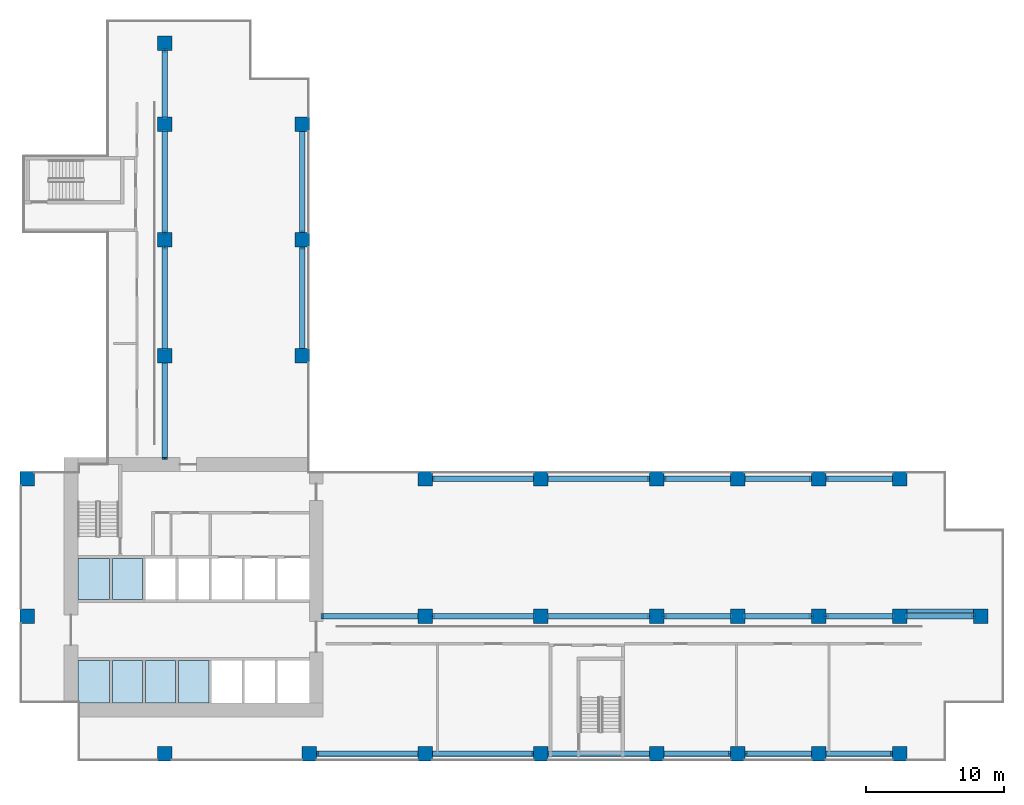
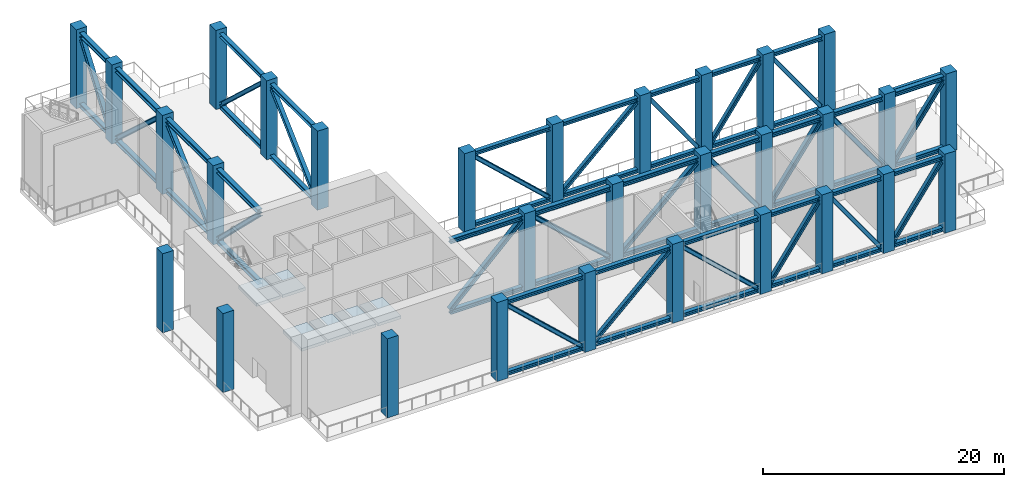
# One storey, part 1 of 10: 48 beams, 30 columns, 25 members, 6 slabs.
"""IFC4 building model written with IfcOpenShell, lengths in metres."""

from ifc_helpers import new_model, si_unit, direction, frame, origin, origin_2d, place, context, subcontext, project, spatial, polyline, rectangle, i_section, outline, extrude, source, transform, mapped, material, layer, layer_set, material_profile, profile_set, type_object, element, save


model = new_model("IFC4")

# Units and contexts
model_context = context("Model", 3, precision=1e-05, world=origin(), true_north=direction((0.0, 1.0)))
body_context = subcontext(model_context, "Body", "Model", "MODEL_VIEW")
ifc_project = project(units=[si_unit("LENGTHUNIT", "METRE"), si_unit("AREAUNIT", "SQUARE_METRE"), si_unit("VOLUMEUNIT", "CUBIC_METRE"), si_unit("PLANEANGLEUNIT", "RADIAN"), si_unit("MASSUNIT", "GRAM", prefix="KILO")], contexts=[model_context])

# Site, building, storey
site_placement = place(None, origin())
site = spatial("IfcSite", under=ifc_project, at=site_placement, CompositionType="ELEMENT")
building_placement = place(site_placement, origin())
building = spatial("IfcBuilding", under=site, at=building_placement, Name="Aurelian Terraces", CompositionType="ELEMENT")
storey_placement = place(building_placement, frame((0.0, 0.0, 162.3)))
storey = spatial("IfcBuildingStorey", under=building, at=storey_placement, Name="L36", CompositionType="ELEMENT", Elevation=162.3)

# Columns
ifc_material_1 = material(Name="Concrete fc' 83 MPa", Category="concrete")
ifc_material_profile_1 = material_profile(ifc_material_1, rectangle(XDim=1.05, YDim=1.05, at=origin_2d()))
ifc_profile_set_1 = profile_set([ifc_material_profile_1], Name="Concrete fc' 83 MPa")
column_type = type_object("IfcColumnType", Name="RC COLUMN 1050X1050 FC83", PredefinedType="COLUMN", material=ifc_profile_set_1)
column_placement = place(storey_placement, frame((10.5, 0.525, 0.0), z_axis=(0.0, 0.0, 1.0), x_axis=(1.0, 0.0, 0.0)))
element("IfcColumn", 1, at=column_placement, inside=storey, type_object=column_type, Name="Column 2/A L36", PredefinedType="COLUMN", context=body_context, shape_type="SweptSolid", body=[
    extrude(rectangle(XDim=1.05, YDim=1.05, at=origin_2d()), origin(), (0.0, 0.0, 1.0), 8.0),
])
shared_shape_1 = source(origin(), body_context, "Body", "SweptSolid", [
    extrude(rectangle(XDim=1.05, YDim=1.05, at=origin_2d()), origin(), (0.0, 0.0, 1.0), 8.0),
])
for number, where, z_axis, x_axis, name in (
    (2, (21.0, 0.525, 0.0), (0.0, 0.0, 1.0), (1.0, 0.0, 0.0), "Column 3/A L36"),
    (3, (29.4, 0.525, 0.0), (0.0, 0.0, 1.0), (1.0, 0.0, 0.0), "Column 4/A L36"),
    (4, (37.8, 0.525, 0.0), (0.0, 0.0, 1.0), (1.0, 0.0, 0.0), "Column 5/A L36"),
    (5, (46.2, 0.525, 0.0), (0.0, 0.0, 1.0), (1.0, 0.0, 0.0), "Column 6/A L36"),
    (6, (52.08, 0.525, 0.0), (0.0, 0.0, 1.0), (1.0, 0.0, 0.0), "Column 7/A L36"),
    (7, (57.96, 0.525, 0.0), (0.0, 0.0, 1.0), (1.0, 0.0, 0.0), "Column 8/A L36"),
    (8, (63.84, 0.525, 0.0), (0.0, 0.0, 1.0), (1.0, 0.0, 0.0), "Column 9/A L36"),
    (9, (0.525, 10.5, 0.0), (0.0, 0.0, 1.0), (1.0, 0.0, 0.0), "Column 1/B L36"),
    (10, (29.4, 10.5, 0.0), (0.0, 0.0, 1.0), (1.0, 0.0, 0.0), "Column 4/B L36"),
    (11, (37.8, 10.5, 0.0), (0.0, 0.0, 1.0), (1.0, 0.0, 0.0), "Column 5/B L36"),
    (12, (46.2, 10.5, 0.0), (0.0, 0.0, 1.0), (1.0, 0.0, 0.0), "Column 6/B L36"),
    (13, (52.08, 10.5, 0.0), (0.0, 0.0, 1.0), (1.0, 0.0, 0.0), "Column 7/B L36"),
    (14, (57.96, 10.5, 0.0), (0.0, 0.0, 1.0), (1.0, 0.0, 0.0), "Column 8/B L36"),
    (15, (63.84, 10.5, 0.0), (0.0, 0.0, 1.0), (1.0, 0.0, 0.0), "Column 9/B L36"),
    (16, (69.72, 10.5, 0.0), (0.0, 0.0, 1.0), (1.0, 0.0, 0.0), "Column 10/B L36"),
    (17, (0.525, 20.475, 0.0), (0.0, 0.0, 1.0), (1.0, 0.0, 0.0), "Column 1/C L36"),
    (18, (29.4, 20.475, 0.0), (0.0, 0.0, 1.0), (1.0, 0.0, 0.0), "Column 4/C L36"),
    (19, (37.8, 20.475, 0.0), (0.0, 0.0, 1.0), (1.0, 0.0, 0.0), "Column 5/C L36"),
    (20, (46.2, 20.475, 0.0), (0.0, 0.0, 1.0), (1.0, 0.0, 0.0), "Column 6/C L36"),
    (21, (52.08, 20.475, 0.0), (0.0, 0.0, 1.0), (1.0, 0.0, 0.0), "Column 7/C L36"),
    (22, (57.96, 20.475, 0.0), (0.0, 0.0, 1.0), (1.0, 0.0, 0.0), "Column 8/C L36"),
    (23, (63.84, 20.475, 0.0), (0.0, 0.0, 1.0), (1.0, 0.0, 0.0), "Column 9/C L36"),
    (24, (10.5, 29.4, 0.0), (0.0, 0.0, 1.0), (1.0, 0.0, 0.0), "Column 2/D L36"),
    (25, (20.475, 29.4, 0.0), (0.0, 0.0, 1.0), (1.0, 0.0, 0.0), "Column 3/D L36"),
    (26, (10.5, 37.8, 0.0), (0.0, 0.0, 1.0), (1.0, 0.0, 0.0), "Column 2/E L36"),
    (27, (20.475, 37.8, 0.0), (0.0, 0.0, 1.0), (1.0, 0.0, 0.0), "Column 3/E L36"),
    (28, (10.5, 46.2, 0.0), (0.0, 0.0, 1.0), (1.0, 0.0, 0.0), "Column 2/F L36"),
    (29, (20.475, 46.2, 0.0), (0.0, 0.0, 1.0), (1.0, 0.0, 0.0), "Column 3/F L36"),
    (30, (10.5, 52.08, 0.0), (0.0, 0.0, 1.0), (1.0, 0.0, 0.0), "Column 2/G L36"),
):
    element("IfcColumn", number, at=place(storey_placement, frame(where, z_axis=z_axis, x_axis=x_axis)), inside=storey, type_object=column_type, Name=name, PredefinedType="COLUMN", context=body_context, shape_type="MappedRepresentation", body=[
        mapped(shared_shape_1, transform((0.0, 0.0, 0.0), scale=1.0)),
    ])

# Members
ifc_material_2 = material(Name="Steel ASTM A992 Gr50", Category="steel")
ifc_material_profile_2 = material_profile(ifc_material_2, i_section(OverallWidth=0.374, OverallDepth=0.3724, WebThickness=0.0164, FlangeThickness=0.0262, at=origin_2d()))
ifc_profile_set_2 = profile_set([ifc_material_profile_2], Name="Steel ASTM A992 Gr50")
member_type_1 = type_object("IfcMemberType", Name="BELT DIAGONAL W14X132", PredefinedType="BRACE", material=ifc_profile_set_2)
member_1_placement = place(storey_placement, frame((28.875, 0.525, 0.3805), z_axis=(-0.732728866702, 0.0, 0.680520688812), x_axis=(0.0, -1.0, 0.0)))
element("IfcMember", 31, at=member_1_placement, inside=storey, type_object=member_type_1, Name="Belt diagonal 12", PredefinedType="BRACE", context=body_context, shape_type="SweptSolid", body=[
    extrude(i_section(OverallWidth=0.374, OverallDepth=0.3724, WebThickness=0.0164, FlangeThickness=0.0262, at=origin_2d()), origin(), (0.0, 0.0, 1.0), 10.031),
])
member_2_placement = place(storey_placement, frame((46.725, 0.525, 0.3805), z_axis=(0.577595550202, 0.0, 0.816323085786), x_axis=(0.0, 1.0, 0.0)))
element("IfcMember", 32, at=member_2_placement, inside=storey, type_object=member_type_1, Name="Belt diagonal 15", PredefinedType="BRACE", context=body_context, shape_type="SweptSolid", body=[
    extrude(i_section(OverallWidth=0.374, OverallDepth=0.3724, WebThickness=0.0164, FlangeThickness=0.0262, at=origin_2d()), origin(), (0.0, 0.0, 1.0), 8.3623),
])

# Beams
ifc_material_profile_3 = material_profile(ifc_material_2, i_section(OverallWidth=0.399, OverallDepth=0.3932, WebThickness=0.0226, FlangeThickness=0.0366, at=origin_2d()))
ifc_profile_set_3 = profile_set([ifc_material_profile_3], Name="Steel ASTM A992 Gr50")
beam_type_1 = type_object("IfcBeamType", Name="BT901 BELT CHORD W14X193", PredefinedType="BEAM", material=ifc_profile_set_3)
beam_1_placement = place(storey_placement, frame((21.525, 0.525, 7.4034), z_axis=(1.0, 0.0, 0.0), x_axis=(0.0, 1.0, 0.0)))
element("IfcBeam", 33, at=beam_1_placement, inside=storey, type_object=beam_type_1, Name="Belt top chord 12", PredefinedType="BEAM", context=body_context, shape_type="SweptSolid", body=[
    extrude(i_section(OverallWidth=0.399, OverallDepth=0.3932, WebThickness=0.0226, FlangeThickness=0.0366, at=origin_2d()), origin(), (0.0, 0.0, 1.0), 7.35),
])
beam_2_placement = place(storey_placement, frame((46.725, 0.525, 7.4034), z_axis=(1.0, 0.0, 0.0), x_axis=(0.0, 1.0, 0.0)))
element("IfcBeam", 34, at=beam_2_placement, inside=storey, type_object=beam_type_1, Name="Belt top chord 15", PredefinedType="BEAM", context=body_context, shape_type="SweptSolid", body=[
    extrude(i_section(OverallWidth=0.399, OverallDepth=0.3932, WebThickness=0.0226, FlangeThickness=0.0366, at=origin_2d()), origin(), (0.0, 0.0, 1.0), 4.83),
])
ifc_material_profile_4 = material_profile(ifc_material_2, i_section(OverallWidth=0.3954, OverallDepth=0.3805, WebThickness=0.0189, FlangeThickness=0.0302, at=origin_2d()))
ifc_profile_set_4 = profile_set([ifc_material_profile_4], Name="Steel ASTM A992 Gr50")
beam_type_2 = type_object("IfcBeamType", Name="BT902 BELT CHORD W14X159", PredefinedType="BEAM", material=ifc_profile_set_4)
beam_3_placement = place(storey_placement, frame((21.525, 0.525, 0.1902), z_axis=(1.0, 0.0, 0.0), x_axis=(0.0, 1.0, 0.0)))
element("IfcBeam", 35, at=beam_3_placement, inside=storey, type_object=beam_type_2, Name="Belt bottom chord 12", PredefinedType="BEAM", context=body_context, shape_type="SweptSolid", body=[
    extrude(i_section(OverallWidth=0.3954, OverallDepth=0.3805, WebThickness=0.0189, FlangeThickness=0.0302, at=origin_2d()), origin(), (0.0, 0.0, 1.0), 7.35),
])
beam_4_placement = place(storey_placement, frame((46.725, 0.525, 0.1902), z_axis=(1.0, 0.0, 0.0), x_axis=(0.0, 1.0, 0.0)))
element("IfcBeam", 36, at=beam_4_placement, inside=storey, type_object=beam_type_2, Name="Belt bottom chord 15", PredefinedType="BEAM", context=body_context, shape_type="SweptSolid", body=[
    extrude(i_section(OverallWidth=0.3954, OverallDepth=0.3805, WebThickness=0.0189, FlangeThickness=0.0302, at=origin_2d()), origin(), (0.0, 0.0, 1.0), 4.83),
])

# Member
ifc_material_3 = material(Name="Concrete fc' 40 MPa", Category="concrete")
ifc_material_profile_5 = material_profile(ifc_material_3, rectangle(XDim=0.3, YDim=0.5, at=origin_2d()))
ifc_profile_set_5 = profile_set([ifc_material_profile_5], Name="Concrete fc' 40 MPa")
member_type_2 = type_object("IfcMemberType", Name="CONCRETE EDGE BEAM 300X500", PredefinedType="MEMBER", material=ifc_profile_set_5)
member_3_placement = place(storey_placement, frame((69.195, 10.875, 7.35), z_axis=(-1.0, 0.0, 0.0), x_axis=(0.0, -1.0, 0.0)))
element("IfcMember", 37, at=member_3_placement, inside=storey, type_object=member_type_2, Name="Terrace edge member L37-X1", PredefinedType="MEMBER", context=body_context, shape_type="SweptSolid", body=[
    extrude(rectangle(XDim=0.3, YDim=0.5, at=origin_2d()), origin(), (0.0, 0.0, 1.0), 4.83),
])

# Beams
ifc_material_profile_6 = material_profile(ifc_material_2, i_section(OverallWidth=0.4185, OverallDepth=0.4552, WebThickness=0.0422, FlangeThickness=0.0676, at=origin_2d()))
ifc_profile_set_6 = profile_set([ifc_material_profile_6], Name="Steel ASTM A992 Gr50")
beam_type_3 = type_object("IfcBeamType", Name="OR901 OUTRIGGER CHORD W14X370", PredefinedType="BEAM", material=ifc_profile_set_6)
beam_5_placement = place(storey_placement, frame((22.0, 10.5, 7.3724), z_axis=(1.0, 0.0, 0.0), x_axis=(0.0, 1.0, 0.0)))
element("IfcBeam", 38, at=beam_5_placement, inside=storey, type_object=beam_type_3, Name="Outrigger top chord 1", PredefinedType="BEAM", context=body_context, shape_type="SweptSolid", body=[
    extrude(i_section(OverallWidth=0.4185, OverallDepth=0.4552, WebThickness=0.0422, FlangeThickness=0.0676, at=origin_2d()), origin(), (0.0, 0.0, 1.0), 6.875),
])
beam_6_placement = place(storey_placement, frame((29.925, 10.5, 7.3724), z_axis=(1.0, 0.0, 0.0), x_axis=(0.0, 1.0, 0.0)))
element("IfcBeam", 39, at=beam_6_placement, inside=storey, type_object=beam_type_3, Name="Outrigger top chord 2", PredefinedType="BEAM", context=body_context, shape_type="SweptSolid", body=[
    extrude(i_section(OverallWidth=0.4185, OverallDepth=0.4552, WebThickness=0.0422, FlangeThickness=0.0676, at=origin_2d()), origin(), (0.0, 0.0, 1.0), 7.35),
])
beam_7_placement = place(storey_placement, frame((46.725, 10.5, 7.3724), z_axis=(1.0, 0.0, 0.0), x_axis=(0.0, 1.0, 0.0)))
element("IfcBeam", 40, at=beam_7_placement, inside=storey, type_object=beam_type_3, Name="Outrigger top chord 4", PredefinedType="BEAM", context=body_context, shape_type="SweptSolid", body=[
    extrude(i_section(OverallWidth=0.4185, OverallDepth=0.4552, WebThickness=0.0422, FlangeThickness=0.0676, at=origin_2d()), origin(), (0.0, 0.0, 1.0), 4.83),
])
ifc_material_profile_7 = material_profile(ifc_material_2, i_section(OverallWidth=0.4122, OverallDepth=0.4348, WebThickness=0.0358, FlangeThickness=0.0531, at=origin_2d()))
ifc_profile_set_7 = profile_set([ifc_material_profile_7], Name="Steel ASTM A992 Gr50")
beam_type_4 = type_object("IfcBeamType", Name="OR902 OUTRIGGER CHORD W14X311", PredefinedType="BEAM", material=ifc_profile_set_7)
beam_8_placement = place(storey_placement, frame((22.0, 10.5, 0.2174), z_axis=(1.0, 0.0, 0.0), x_axis=(0.0, 1.0, 0.0)))
element("IfcBeam", 41, at=beam_8_placement, inside=storey, type_object=beam_type_4, Name="Outrigger bottom chord 1", PredefinedType="BEAM", context=body_context, shape_type="SweptSolid", body=[
    extrude(i_section(OverallWidth=0.4122, OverallDepth=0.4348, WebThickness=0.0358, FlangeThickness=0.0531, at=origin_2d()), origin(), (0.0, 0.0, 1.0), 6.875),
])
beam_9_placement = place(storey_placement, frame((29.925, 10.5, 0.2174), z_axis=(1.0, 0.0, 0.0), x_axis=(0.0, 1.0, 0.0)))
element("IfcBeam", 42, at=beam_9_placement, inside=storey, type_object=beam_type_4, Name="Outrigger bottom chord 2", PredefinedType="BEAM", context=body_context, shape_type="SweptSolid", body=[
    extrude(i_section(OverallWidth=0.4122, OverallDepth=0.4348, WebThickness=0.0358, FlangeThickness=0.0531, at=origin_2d()), origin(), (0.0, 0.0, 1.0), 7.35),
])
beam_10_placement = place(storey_placement, frame((46.725, 10.5, 0.2174), z_axis=(1.0, 0.0, 0.0), x_axis=(0.0, 1.0, 0.0)))
element("IfcBeam", 43, at=beam_10_placement, inside=storey, type_object=beam_type_4, Name="Outrigger bottom chord 4", PredefinedType="BEAM", context=body_context, shape_type="SweptSolid", body=[
    extrude(i_section(OverallWidth=0.4122, OverallDepth=0.4348, WebThickness=0.0358, FlangeThickness=0.0531, at=origin_2d()), origin(), (0.0, 0.0, 1.0), 4.83),
])

# Members
ifc_material_profile_8 = material_profile(ifc_material_2, i_section(OverallWidth=0.4063, OverallDepth=0.4161, WebThickness=0.03, FlangeThickness=0.048, at=origin_2d()))
ifc_profile_set_8 = profile_set([ifc_material_profile_8], Name="Steel ASTM A992 Gr50")
member_type_3 = type_object("IfcMemberType", Name="OUTRIGGER DIAGONAL W14X257", PredefinedType="BRACE", material=ifc_profile_set_8)
member_4_placement = place(storey_placement, frame((22.0, 10.5, 0.4348), z_axis=(0.715642339106, 0.0, 0.698466922967), x_axis=(0.0, 1.0, 0.0)))
element("IfcMember", 44, at=member_4_placement, inside=storey, type_object=member_type_3, Name="Outrigger diagonal 1", PredefinedType="BRACE", context=body_context, shape_type="SweptSolid", body=[
    extrude(i_section(OverallWidth=0.4063, OverallDepth=0.4161, WebThickness=0.03, FlangeThickness=0.048, at=origin_2d()), origin(), (0.0, 0.0, 1.0), 9.6068),
])
member_5_placement = place(storey_placement, frame((37.275, 10.5, 0.4348), z_axis=(-0.738528999254, 0.0, 0.674221712244), x_axis=(0.0, -1.0, 0.0)))
element("IfcMember", 45, at=member_5_placement, inside=storey, type_object=member_type_3, Name="Outrigger diagonal 2", PredefinedType="BRACE", context=body_context, shape_type="SweptSolid", body=[
    extrude(i_section(OverallWidth=0.4063, OverallDepth=0.4161, WebThickness=0.03, FlangeThickness=0.048, at=origin_2d()), origin(), (0.0, 0.0, 1.0), 9.9522),
])
member_6_placement = place(storey_placement, frame((51.555, 10.5, 0.4348), z_axis=(-0.584209130955, 0.0, 0.811603161224), x_axis=(0.0, -1.0, 0.0)))
element("IfcMember", 46, at=member_6_placement, inside=storey, type_object=member_type_3, Name="Outrigger diagonal 4", PredefinedType="BRACE", context=body_context, shape_type="SweptSolid", body=[
    extrude(i_section(OverallWidth=0.4063, OverallDepth=0.4161, WebThickness=0.03, FlangeThickness=0.048, at=origin_2d()), origin(), (0.0, 0.0, 1.0), 8.2676),
])

# Beams
shared_shape_2 = source(origin(), body_context, "Body", "SweptSolid", [
    extrude(i_section(OverallWidth=0.4185, OverallDepth=0.4552, WebThickness=0.0422, FlangeThickness=0.0676, at=origin_2d()), origin(), (0.0, 0.0, 1.0), 7.35),
])
for number, where, z_axis, x_axis, name in (
    (47, (38.325, 10.5, 7.3724), (1.0, 0.0, 0.0), (0.0, 1.0, 0.0), "Outrigger top chord 3"),
    (48, (10.5, 29.925, 7.3724), (0.0, 1.0, 0.0), (-1.0, 0.0, 0.0), "Outrigger top chord 9"),
    (49, (10.5, 38.325, 7.3724), (0.0, 1.0, 0.0), (-1.0, 0.0, 0.0), "Outrigger top chord 10"),
):
    element("IfcBeam", number, at=place(storey_placement, frame(where, z_axis=z_axis, x_axis=x_axis)), inside=storey, type_object=beam_type_3, Name=name, PredefinedType="BEAM", context=body_context, shape_type="MappedRepresentation", body=[
        mapped(shared_shape_2, transform((0.0, 0.0, 0.0), scale=1.0)),
    ])
shared_shape_3 = source(origin(), body_context, "Body", "SweptSolid", [
    extrude(i_section(OverallWidth=0.4122, OverallDepth=0.4348, WebThickness=0.0358, FlangeThickness=0.0531, at=origin_2d()), origin(), (0.0, 0.0, 1.0), 7.35),
])
for number, where, z_axis, x_axis, name in (
    (50, (38.325, 10.5, 0.2174), (1.0, 0.0, 0.0), (0.0, 1.0, 0.0), "Outrigger bottom chord 3"),
    (51, (10.5, 29.925, 0.2174), (0.0, 1.0, 0.0), (-1.0, 0.0, 0.0), "Outrigger bottom chord 9"),
    (52, (10.5, 38.325, 0.2174), (0.0, 1.0, 0.0), (-1.0, 0.0, 0.0), "Outrigger bottom chord 10"),
):
    element("IfcBeam", number, at=place(storey_placement, frame(where, z_axis=z_axis, x_axis=x_axis)), inside=storey, type_object=beam_type_4, Name=name, PredefinedType="BEAM", context=body_context, shape_type="MappedRepresentation", body=[
        mapped(shared_shape_3, transform((0.0, 0.0, 0.0), scale=1.0)),
    ])

# Members
shared_shape_4 = source(origin(), body_context, "Body", "SweptSolid", [
    extrude(i_section(OverallWidth=0.4063, OverallDepth=0.4161, WebThickness=0.03, FlangeThickness=0.048, at=origin_2d()), origin(), (0.0, 0.0, 1.0), 9.9522),
])
for number, where, z_axis, x_axis, name in (
    (53, (38.325, 10.5, 0.4348), (0.738528999254, 0.0, 0.674221712244), (0.0, 1.0, 0.0), "Outrigger diagonal 3"),
    (54, (10.5, 29.925, 0.4348), (0.0, 0.738528999254, 0.674221712244), (-1.0, 0.0, 0.0), "Outrigger diagonal 9"),
    (55, (10.5, 45.675, 0.4348), (0.0, -0.738528999254, 0.674221712244), (1.0, 0.0, 0.0), "Outrigger diagonal 10"),
):
    element("IfcMember", number, at=place(storey_placement, frame(where, z_axis=z_axis, x_axis=x_axis)), inside=storey, type_object=member_type_3, Name=name, PredefinedType="BRACE", context=body_context, shape_type="MappedRepresentation", body=[
        mapped(shared_shape_4, transform((0.0, 0.0, 0.0), scale=1.0)),
    ])

# Beams
shared_shape_5 = source(origin(), body_context, "Body", "SweptSolid", [
    extrude(i_section(OverallWidth=0.4185, OverallDepth=0.4552, WebThickness=0.0422, FlangeThickness=0.0676, at=origin_2d()), origin(), (0.0, 0.0, 1.0), 4.83),
])
for number, where, z_axis, x_axis, name in (
    (56, (52.605, 10.5, 7.3724), (1.0, 0.0, 0.0), (0.0, 1.0, 0.0), "Outrigger top chord 5"),
    (57, (58.485, 10.5, 7.3724), (1.0, 0.0, 0.0), (0.0, 1.0, 0.0), "Outrigger top chord 6"),
    (58, (64.365, 10.5, 7.3724), (1.0, 0.0, 0.0), (0.0, 1.0, 0.0), "Outrigger top chord 7"),
    (59, (10.5, 46.725, 7.3724), (0.0, 1.0, 0.0), (-1.0, 0.0, 0.0), "Outrigger top chord 11"),
):
    element("IfcBeam", number, at=place(storey_placement, frame(where, z_axis=z_axis, x_axis=x_axis)), inside=storey, type_object=beam_type_3, Name=name, PredefinedType="BEAM", context=body_context, shape_type="MappedRepresentation", body=[
        mapped(shared_shape_5, transform((0.0, 0.0, 0.0), scale=1.0)),
    ])
shared_shape_6 = source(origin(), body_context, "Body", "SweptSolid", [
    extrude(i_section(OverallWidth=0.4122, OverallDepth=0.4348, WebThickness=0.0358, FlangeThickness=0.0531, at=origin_2d()), origin(), (0.0, 0.0, 1.0), 4.83),
])
for number, where, z_axis, x_axis, name in (
    (60, (52.605, 10.5, 0.2174), (1.0, 0.0, 0.0), (0.0, 1.0, 0.0), "Outrigger bottom chord 5"),
    (61, (58.485, 10.5, 0.2174), (1.0, 0.0, 0.0), (0.0, 1.0, 0.0), "Outrigger bottom chord 6"),
    (62, (64.365, 10.5, 0.2174), (1.0, 0.0, 0.0), (0.0, 1.0, 0.0), "Outrigger bottom chord 7"),
    (63, (10.5, 46.725, 0.2174), (0.0, 1.0, 0.0), (-1.0, 0.0, 0.0), "Outrigger bottom chord 11"),
):
    element("IfcBeam", number, at=place(storey_placement, frame(where, z_axis=z_axis, x_axis=x_axis)), inside=storey, type_object=beam_type_4, Name=name, PredefinedType="BEAM", context=body_context, shape_type="MappedRepresentation", body=[
        mapped(shared_shape_6, transform((0.0, 0.0, 0.0), scale=1.0)),
    ])

# Members
shared_shape_7 = source(origin(), body_context, "Body", "SweptSolid", [
    extrude(i_section(OverallWidth=0.4063, OverallDepth=0.4161, WebThickness=0.03, FlangeThickness=0.048, at=origin_2d()), origin(), (0.0, 0.0, 1.0), 8.2676),
])
for number, where, z_axis, x_axis, name in (
    (64, (52.605, 10.5, 0.4348), (0.584209130955, 0.0, 0.811603161224), (0.0, 1.0, 0.0), "Outrigger diagonal 5"),
    (65, (63.315, 10.5, 0.4348), (-0.584209130955, 0.0, 0.811603161224), (0.0, -1.0, 0.0), "Outrigger diagonal 6"),
    (66, (64.365, 10.5, 0.4348), (0.584209130955, 0.0, 0.811603161224), (0.0, 1.0, 0.0), "Outrigger diagonal 7"),
    (67, (10.5, 46.725, 0.4348), (0.0, 0.584209130955, 0.811603161224), (-1.0, 0.0, 0.0), "Outrigger diagonal 11"),
):
    element("IfcMember", number, at=place(storey_placement, frame(where, z_axis=z_axis, x_axis=x_axis)), inside=storey, type_object=member_type_3, Name=name, PredefinedType="BRACE", context=body_context, shape_type="MappedRepresentation", body=[
        mapped(shared_shape_7, transform((0.0, 0.0, 0.0), scale=1.0)),
    ])

# Beams
shared_shape_8 = source(origin(), body_context, "Body", "SweptSolid", [
    extrude(i_section(OverallWidth=0.4185, OverallDepth=0.4552, WebThickness=0.0422, FlangeThickness=0.0676, at=origin_2d()), origin(), (0.0, 0.0, 1.0), 6.875),
])
beam_11_placement = place(storey_placement, frame((10.5, 22.0, 7.3724), z_axis=(0.0, 1.0, 0.0), x_axis=(-1.0, 0.0, 0.0)))
element("IfcBeam", 68, at=beam_11_placement, inside=storey, type_object=beam_type_3, Name="Outrigger top chord 8", PredefinedType="BEAM", context=body_context, shape_type="MappedRepresentation", body=[
    mapped(shared_shape_8, transform((0.0, 0.0, 0.0), scale=1.0)),
])
shared_shape_9 = source(origin(), body_context, "Body", "SweptSolid", [
    extrude(i_section(OverallWidth=0.4122, OverallDepth=0.4348, WebThickness=0.0358, FlangeThickness=0.0531, at=origin_2d()), origin(), (0.0, 0.0, 1.0), 6.875),
])
beam_12_placement = place(storey_placement, frame((10.5, 22.0, 0.2174), z_axis=(0.0, 1.0, 0.0), x_axis=(-1.0, 0.0, 0.0)))
element("IfcBeam", 69, at=beam_12_placement, inside=storey, type_object=beam_type_4, Name="Outrigger bottom chord 8", PredefinedType="BEAM", context=body_context, shape_type="MappedRepresentation", body=[
    mapped(shared_shape_9, transform((0.0, 0.0, 0.0), scale=1.0)),
])

# Member
shared_shape_10 = source(origin(), body_context, "Body", "SweptSolid", [
    extrude(i_section(OverallWidth=0.4063, OverallDepth=0.4161, WebThickness=0.03, FlangeThickness=0.048, at=origin_2d()), origin(), (0.0, 0.0, 1.0), 9.6068),
])
member_7_placement = place(storey_placement, frame((10.5, 28.875, 0.4348), z_axis=(0.0, -0.715642339106, 0.698466922967), x_axis=(1.0, 0.0, 0.0)))
element("IfcMember", 70, at=member_7_placement, inside=storey, type_object=member_type_3, Name="Outrigger diagonal 8", PredefinedType="BRACE", context=body_context, shape_type="MappedRepresentation", body=[
    mapped(shared_shape_10, transform((0.0, 0.0, 0.0), scale=1.0)),
])

# Beams
shared_shape_11 = source(origin(), body_context, "Body", "SweptSolid", [
    extrude(i_section(OverallWidth=0.399, OverallDepth=0.3932, WebThickness=0.0226, FlangeThickness=0.0366, at=origin_2d()), origin(), (0.0, 0.0, 1.0), 7.35),
])
for number, where, z_axis, x_axis, name in (
    (71, (29.925, 0.525, 7.4034), (1.0, 0.0, 0.0), (0.0, 1.0, 0.0), "Belt top chord 13"),
    (72, (38.325, 0.525, 7.4034), (1.0, 0.0, 0.0), (0.0, 1.0, 0.0), "Belt top chord 14"),
    (73, (29.925, 20.475, 7.4034), (1.0, 0.0, 0.0), (0.0, 1.0, 0.0), "Belt top chord 18"),
    (74, (38.325, 20.475, 7.4034), (1.0, 0.0, 0.0), (0.0, 1.0, 0.0), "Belt top chord 19"),
    (75, (20.475, 29.925, 7.4034), (0.0, 1.0, 0.0), (-1.0, 0.0, 0.0), "Belt top chord 23"),
    (76, (20.475, 38.325, 7.4034), (0.0, 1.0, 0.0), (-1.0, 0.0, 0.0), "Belt top chord 24"),
):
    element("IfcBeam", number, at=place(storey_placement, frame(where, z_axis=z_axis, x_axis=x_axis)), inside=storey, type_object=beam_type_1, Name=name, PredefinedType="BEAM", context=body_context, shape_type="MappedRepresentation", body=[
        mapped(shared_shape_11, transform((0.0, 0.0, 0.0), scale=1.0)),
    ])
shared_shape_12 = source(origin(), body_context, "Body", "SweptSolid", [
    extrude(i_section(OverallWidth=0.3954, OverallDepth=0.3805, WebThickness=0.0189, FlangeThickness=0.0302, at=origin_2d()), origin(), (0.0, 0.0, 1.0), 7.35),
])
for number, where, z_axis, x_axis, name in (
    (77, (29.925, 0.525, 0.1902), (1.0, 0.0, 0.0), (0.0, 1.0, 0.0), "Belt bottom chord 13"),
    (78, (38.325, 0.525, 0.1902), (1.0, 0.0, 0.0), (0.0, 1.0, 0.0), "Belt bottom chord 14"),
    (79, (29.925, 20.475, 0.1902), (1.0, 0.0, 0.0), (0.0, 1.0, 0.0), "Belt bottom chord 18"),
    (80, (38.325, 20.475, 0.1902), (1.0, 0.0, 0.0), (0.0, 1.0, 0.0), "Belt bottom chord 19"),
    (81, (20.475, 29.925, 0.1902), (0.0, 1.0, 0.0), (-1.0, 0.0, 0.0), "Belt bottom chord 23"),
    (82, (20.475, 38.325, 0.1902), (0.0, 1.0, 0.0), (-1.0, 0.0, 0.0), "Belt bottom chord 24"),
):
    element("IfcBeam", number, at=place(storey_placement, frame(where, z_axis=z_axis, x_axis=x_axis)), inside=storey, type_object=beam_type_2, Name=name, PredefinedType="BEAM", context=body_context, shape_type="MappedRepresentation", body=[
        mapped(shared_shape_12, transform((0.0, 0.0, 0.0), scale=1.0)),
    ])

# Members
shared_shape_13 = source(origin(), body_context, "Body", "SweptSolid", [
    extrude(i_section(OverallWidth=0.374, OverallDepth=0.3724, WebThickness=0.0164, FlangeThickness=0.0262, at=origin_2d()), origin(), (0.0, 0.0, 1.0), 10.031),
])
for number, where, z_axis, x_axis, name in (
    (83, (29.925, 0.525, 0.3805), (0.732728866702, 0.0, 0.680520688812), (0.0, 1.0, 0.0), "Belt diagonal 13"),
    (84, (45.675, 0.525, 0.3805), (-0.732728866702, 0.0, 0.680520688812), (0.0, -1.0, 0.0), "Belt diagonal 14"),
    (85, (37.275, 20.475, 0.3805), (-0.732728866702, 0.0, 0.680520688812), (0.0, -1.0, 0.0), "Belt diagonal 18"),
    (86, (38.325, 20.475, 0.3805), (0.732728866702, 0.0, 0.680520688812), (0.0, 1.0, 0.0), "Belt diagonal 19"),
    (87, (20.475, 29.925, 0.3805), (0.0, 0.732728866702, 0.680520688812), (-1.0, 0.0, 0.0), "Belt diagonal 23"),
    (88, (20.475, 45.675, 0.3805), (0.0, -0.732728866702, 0.680520688812), (1.0, 0.0, 0.0), "Belt diagonal 24"),
):
    element("IfcMember", number, at=place(storey_placement, frame(where, z_axis=z_axis, x_axis=x_axis)), inside=storey, type_object=member_type_1, Name=name, PredefinedType="BRACE", context=body_context, shape_type="MappedRepresentation", body=[
        mapped(shared_shape_13, transform((0.0, 0.0, 0.0), scale=1.0)),
    ])

# Beams
shared_shape_14 = source(origin(), body_context, "Body", "SweptSolid", [
    extrude(i_section(OverallWidth=0.399, OverallDepth=0.3932, WebThickness=0.0226, FlangeThickness=0.0366, at=origin_2d()), origin(), (0.0, 0.0, 1.0), 4.83),
])
for number, where, z_axis, x_axis, name in (
    (89, (52.605, 0.525, 7.4034), (1.0, 0.0, 0.0), (0.0, 1.0, 0.0), "Belt top chord 16"),
    (90, (58.485, 0.525, 7.4034), (1.0, 0.0, 0.0), (0.0, 1.0, 0.0), "Belt top chord 17"),
    (91, (46.725, 20.475, 7.4034), (1.0, 0.0, 0.0), (0.0, 1.0, 0.0), "Belt top chord 20"),
    (92, (52.605, 20.475, 7.4034), (1.0, 0.0, 0.0), (0.0, 1.0, 0.0), "Belt top chord 21"),
    (93, (58.485, 20.475, 7.4034), (1.0, 0.0, 0.0), (0.0, 1.0, 0.0), "Belt top chord 22"),
):
    element("IfcBeam", number, at=place(storey_placement, frame(where, z_axis=z_axis, x_axis=x_axis)), inside=storey, type_object=beam_type_1, Name=name, PredefinedType="BEAM", context=body_context, shape_type="MappedRepresentation", body=[
        mapped(shared_shape_14, transform((0.0, 0.0, 0.0), scale=1.0)),
    ])
shared_shape_15 = source(origin(), body_context, "Body", "SweptSolid", [
    extrude(i_section(OverallWidth=0.3954, OverallDepth=0.3805, WebThickness=0.0189, FlangeThickness=0.0302, at=origin_2d()), origin(), (0.0, 0.0, 1.0), 4.83),
])
for number, where, z_axis, x_axis, name in (
    (94, (52.605, 0.525, 0.1902), (1.0, 0.0, 0.0), (0.0, 1.0, 0.0), "Belt bottom chord 16"),
    (95, (58.485, 0.525, 0.1902), (1.0, 0.0, 0.0), (0.0, 1.0, 0.0), "Belt bottom chord 17"),
    (96, (46.725, 20.475, 0.1902), (1.0, 0.0, 0.0), (0.0, 1.0, 0.0), "Belt bottom chord 20"),
    (97, (52.605, 20.475, 0.1902), (1.0, 0.0, 0.0), (0.0, 1.0, 0.0), "Belt bottom chord 21"),
    (98, (58.485, 20.475, 0.1902), (1.0, 0.0, 0.0), (0.0, 1.0, 0.0), "Belt bottom chord 22"),
):
    element("IfcBeam", number, at=place(storey_placement, frame(where, z_axis=z_axis, x_axis=x_axis)), inside=storey, type_object=beam_type_2, Name=name, PredefinedType="BEAM", context=body_context, shape_type="MappedRepresentation", body=[
        mapped(shared_shape_15, transform((0.0, 0.0, 0.0), scale=1.0)),
    ])

# Members
shared_shape_16 = source(origin(), body_context, "Body", "SweptSolid", [
    extrude(i_section(OverallWidth=0.374, OverallDepth=0.3724, WebThickness=0.0164, FlangeThickness=0.0262, at=origin_2d()), origin(), (0.0, 0.0, 1.0), 8.3623),
])
for number, where, z_axis, x_axis, name in (
    (99, (57.435, 0.525, 0.3805), (-0.577595550202, 0.0, 0.816323085786), (0.0, -1.0, 0.0), "Belt diagonal 16"),
    (100, (58.485, 0.525, 0.3805), (0.577595550202, 0.0, 0.816323085786), (0.0, 1.0, 0.0), "Belt diagonal 17"),
    (101, (51.555, 20.475, 0.3805), (-0.577595550202, 0.0, 0.816323085786), (0.0, -1.0, 0.0), "Belt diagonal 20"),
    (102, (52.605, 20.475, 0.3805), (0.577595550202, 0.0, 0.816323085786), (0.0, 1.0, 0.0), "Belt diagonal 21"),
    (103, (63.315, 20.475, 0.3805), (-0.577595550202, 0.0, 0.816323085786), (0.0, -1.0, 0.0), "Belt diagonal 22"),
):
    element("IfcMember", number, at=place(storey_placement, frame(where, z_axis=z_axis, x_axis=x_axis)), inside=storey, type_object=member_type_1, Name=name, PredefinedType="BRACE", context=body_context, shape_type="MappedRepresentation", body=[
        mapped(shared_shape_16, transform((0.0, 0.0, 0.0), scale=1.0)),
    ])

# Slabs
ifc_layer = layer(ifc_material_3, 0.3)
ifc_layer_set = layer_set([ifc_layer], Name="Lift pit slab")
slab_type = type_object("IfcSlabType", Name="Lift pit slab", PredefinedType="NOTDEFINED", material=ifc_layer_set)
slab_1_placement = place(storey_placement, frame((0.0, 0.0, 6.2)))
element("IfcSlab", 104, at=slab_1_placement, inside=storey, type_object=slab_type, Name="Lift pit slab LM1", PredefinedType="NOTDEFINED", context=body_context, shape_type="SweptSolid", body=[
    extrude(outline(polyline([(4.2, 4.2), (6.5, 4.2), (6.5, 7.3), (4.2, 7.3), (4.2, 4.2)])), origin(), (0.0, 0.0, 1.0), 0.3),
])
slab_2_placement = place(storey_placement, frame((0.0, 0.0, 6.2)))
element("IfcSlab", 105, at=slab_2_placement, inside=storey, type_object=slab_type, Name="Lift pit slab LM2", PredefinedType="NOTDEFINED", context=body_context, shape_type="SweptSolid", body=[
    extrude(outline(polyline([(6.7, 4.2), (8.9, 4.2), (8.9, 7.3), (6.7, 7.3), (6.7, 4.2)])), origin(), (0.0, 0.0, 1.0), 0.3),
])
slab_3_placement = place(storey_placement, frame((0.0, 0.0, 6.2)))
element("IfcSlab", 106, at=slab_3_placement, inside=storey, type_object=slab_type, Name="Lift pit slab LM3", PredefinedType="NOTDEFINED", context=body_context, shape_type="SweptSolid", body=[
    extrude(outline(polyline([(9.1, 4.2), (11.3, 4.2), (11.3, 7.3), (9.1, 7.3), (9.1, 4.2)])), origin(), (0.0, 0.0, 1.0), 0.3),
])
slab_4_placement = place(storey_placement, frame((0.0, 0.0, 6.2)))
element("IfcSlab", 107, at=slab_4_placement, inside=storey, type_object=slab_type, Name="Lift pit slab LM4", PredefinedType="NOTDEFINED", context=body_context, shape_type="SweptSolid", body=[
    extrude(outline(polyline([(11.5, 4.2), (13.7, 4.2), (13.7, 7.3), (11.5, 7.3), (11.5, 4.2)])), origin(), (0.0, 0.0, 1.0), 0.3),
])
slab_5_placement = place(storey_placement, frame((0.0, 0.0, 6.2)))
element("IfcSlab", 108, at=slab_5_placement, inside=storey, type_object=slab_type, Name="Lift pit slab LM5", PredefinedType="NOTDEFINED", context=body_context, shape_type="SweptSolid", body=[
    extrude(outline(polyline([(4.2, 11.7), (6.5, 11.7), (6.5, 14.7), (4.2, 14.7), (4.2, 11.7)])), origin(), (0.0, 0.0, 1.0), 0.3),
])
slab_6_placement = place(storey_placement, frame((0.0, 0.0, 6.2)))
element("IfcSlab", 109, at=slab_6_placement, inside=storey, type_object=slab_type, Name="Lift pit slab LM6", PredefinedType="NOTDEFINED", context=body_context, shape_type="SweptSolid", body=[
    extrude(outline(polyline([(6.7, 11.7), (8.9, 11.7), (8.9, 14.7), (6.7, 14.7), (6.7, 11.7)])), origin(), (0.0, 0.0, 1.0), 0.3),
])

save(model, "model.ifc")
